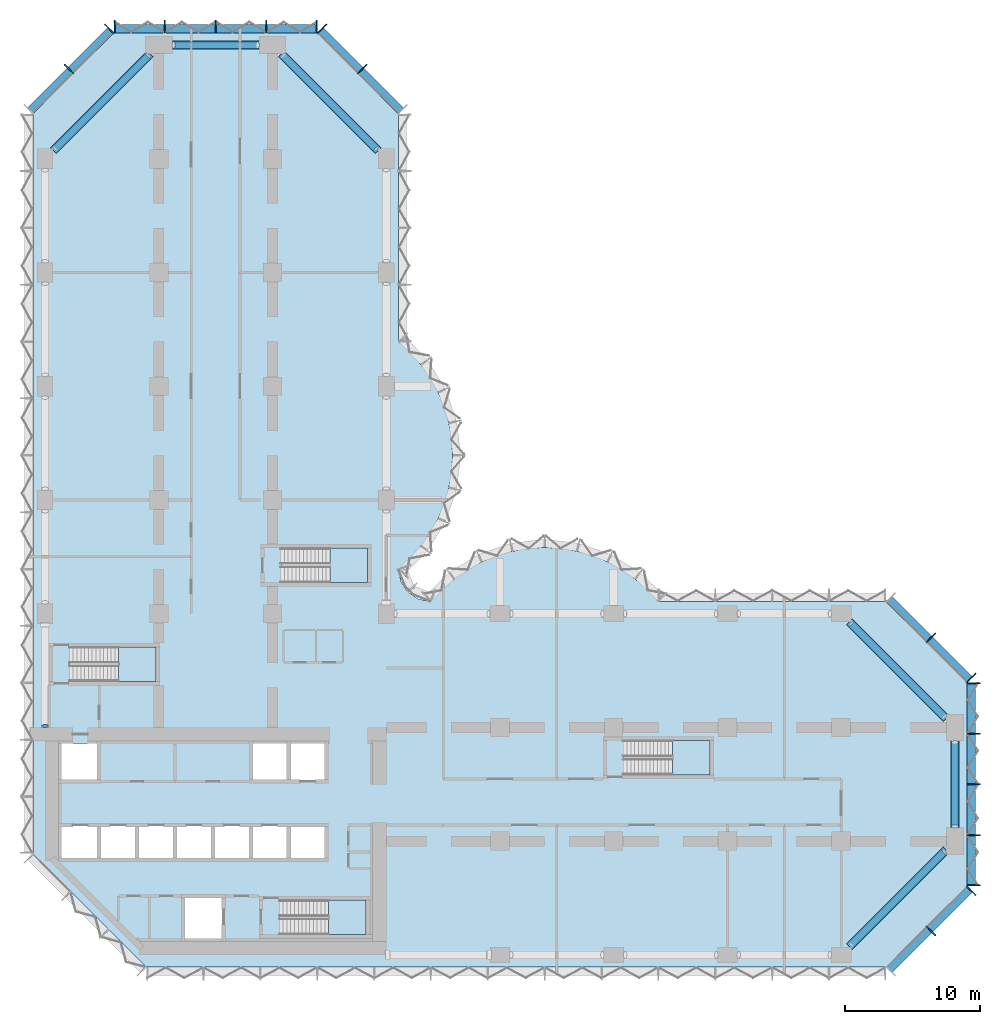
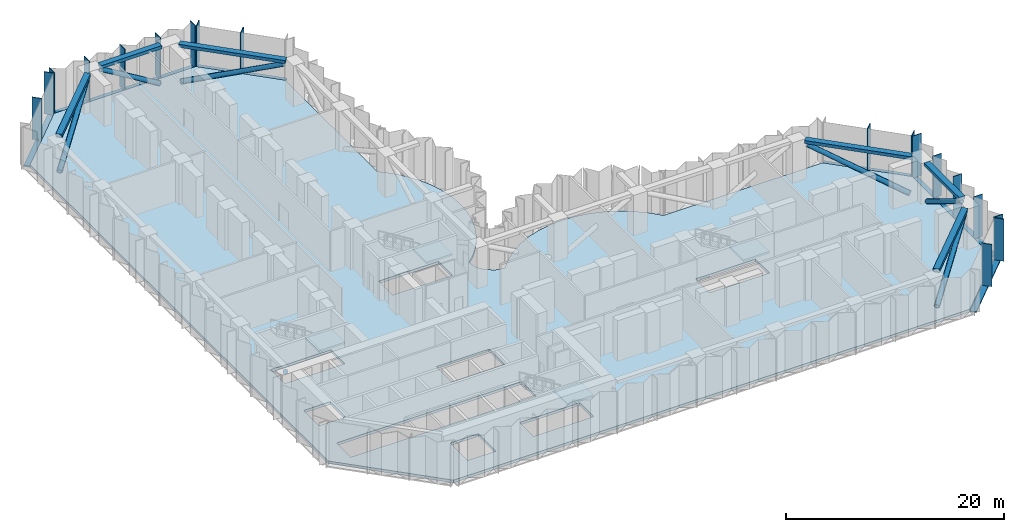
# One storey, part 3 of 18: 30 members, 6 beams, 5 slabs, 1 plate, 10 elements without a shape of their own.
"""IFC4 building model written with IfcOpenShell, lengths in metres."""

import ifcopenshell
import ifcopenshell.guid

model = None  # the IFC model being written
_history = None  # IfcOwnerHistory: only IFC2X3 demands one
_inside = {}  # id of a spatial element -> (the spatial element, [elements in it])
_under = {}  # id of a project, library or spatial element -> (it, [spatial elements below it])
_declared = {}  # id of a project -> (the project, [libraries it declares])
_typed = {}  # id of a type object -> (the type object, [elements of that type])
_made_of = {}  # id of a material, layer set ... -> (it, [elements and type objects made of it])


def new_model(schema):
    """Start an empty IFC model of exactly this schema.

    Asked for "IFC4X3", IfcOpenShell would pick the latest addendum, in which some entities
    have other attributes; the version numbers below select the first issue.
    IFC2X3 requires an IfcOwnerHistory on every rooted entity: one is made here for all.
    """
    global model, _history
    if schema == "IFC4X3":
        model = ifcopenshell.file(schema_version=(4, 3, 0, 0))
    else:
        model = ifcopenshell.file(schema=schema)
    _inside.clear()
    _under.clear()
    _declared.clear()
    _typed.clear()
    _made_of.clear()
    _history = None
    if model.schema == "IFC2X3":
        org = make("IfcOrganization", Name="unknown")
        user = make(
            "IfcPersonAndOrganization",
            ThePerson=make("IfcPerson", FamilyName="unknown"),
            TheOrganization=org,
        )
        app = make(
            "IfcApplication",
            ApplicationDeveloper=org,
            Version="unknown",
            ApplicationFullName="unknown",
            ApplicationIdentifier="unknown",
        )
        _history = make(
            "IfcOwnerHistory",
            OwningUser=user,
            OwningApplication=app,
            ChangeAction="ADDED",
            CreationDate=0,
        )
    return model


def make(cls, **values):
    """One entity of the class cls with the attributes given. An attribute that is None is left unset."""
    return model.create_entity(
        cls, **{name: value for name, value in values.items() if value is not None}
    )


def rooted(cls, **values):
    """An entity with a GlobalId (a new one), such as an element, a storey or a relation."""
    return make(cls, GlobalId=ifcopenshell.guid.new(), OwnerHistory=_history, **values)


def si_unit(unit_type, name, prefix=None):
    """IfcSIUnit, for example si_unit("LENGTHUNIT", "METRE", prefix="MILLI")."""
    return make("IfcSIUnit", UnitType=unit_type, Prefix=prefix, Name=name)


def assignment(units):
    """IfcUnitAssignment: the units of a project."""
    return None if units is None else make("IfcUnitAssignment", Units=units)


def point(xyz):
    """IfcCartesianPoint."""
    return None if xyz is None else make("IfcCartesianPoint", Coordinates=xyz)


def direction(xyz):
    """IfcDirection."""
    return None if xyz is None else make("IfcDirection", DirectionRatios=xyz)


def frame(location, z_axis=None, x_axis=None):
    """IfcAxis2Placement3D, a coordinate frame: its origin and axes. An axis left out is left unset."""
    return make(
        "IfcAxis2Placement3D",
        Location=point(location),
        Axis=direction(z_axis),
        RefDirection=direction(x_axis),
    )


def frame_2d(location, x_axis=None):
    """IfcAxis2Placement2D, a coordinate frame in the plane: its origin and x axis."""
    return make(
        "IfcAxis2Placement2D", Location=point(location), RefDirection=direction(x_axis)
    )


def origin():
    """The frame at (0, 0, 0) with its axes left unset."""
    return frame((0.0, 0.0, 0.0))


def origin_2d():
    """The frame at (0, 0) in the plane with its x axis left unset."""
    return frame_2d((0.0, 0.0))


def place(relative_to, where):
    """IfcLocalPlacement: puts the frame where relative to a parent placement (None: the world)."""
    return make(
        "IfcLocalPlacement", PlacementRelTo=relative_to, RelativePlacement=where
    )


def context(
    kind, dimensions, precision=None, world=None, true_north=None, identifier=None
):
    """IfcGeometricRepresentationContext, for example the 3D "Model" context."""
    return make(
        "IfcGeometricRepresentationContext",
        ContextIdentifier=identifier,
        ContextType=kind,
        CoordinateSpaceDimension=dimensions,
        Precision=precision,
        WorldCoordinateSystem=world,
        TrueNorth=true_north,
    )


def subcontext(parent, identifier, kind, view, scale=None):
    """IfcGeometricRepresentationSubContext, for example "Body" below "Model"."""
    return make(
        "IfcGeometricRepresentationSubContext",
        ContextIdentifier=identifier,
        ContextType=kind,
        ParentContext=parent,
        TargetScale=scale,
        TargetView=view,
    )


def project(units=None, contexts=None):
    """IfcProject with its units and contexts."""
    return rooted(
        "IfcProject",
        Name="project",
        RepresentationContexts=contexts,
        UnitsInContext=assignment(units),
    )


def spatial(cls, under=None, at=None, **own):
    """A site, building, storey or space (cls), placed at a placement, below another one or the project."""
    s = rooted(cls, ObjectPlacement=at, **own)
    if under is not None:
        _under.setdefault(under.id(), (under, []))[1].append(s)
    return s


def polyline(points):
    """IfcPolyline through the points."""
    return make("IfcPolyline", Points=[point(p) for p in points])


def profile(cls, at=None, kind="AREA", **sizes):
    """A parametric profile (cls). Its sizes go by their IFC names, for example OverallWidth=200.0."""
    return make(cls, ProfileType=kind, Position=at, **sizes)


def rectangle(**sizes):
    """IfcRectangleProfileDef."""
    return profile("IfcRectangleProfileDef", **sizes)


def circle(**sizes):
    """IfcCircleProfileDef."""
    return profile("IfcCircleProfileDef", **sizes)


def hollow_circle(**sizes):
    """IfcCircleHollowProfileDef."""
    return profile("IfcCircleHollowProfileDef", **sizes)


def outline(outer, holes=None, kind="AREA"):
    """IfcArbitraryClosedProfileDef: a profile drawn as a closed curve; with holes, ...WithVoids."""
    if holes is None:
        return make("IfcArbitraryClosedProfileDef", ProfileType=kind, OuterCurve=outer)
    return make(
        "IfcArbitraryProfileDefWithVoids",
        ProfileType=kind,
        OuterCurve=outer,
        InnerCurves=holes,
    )


def extrude(swept, where, along, depth):
    """IfcExtrudedAreaSolid: the profile swept, set in the frame where, extruded along a direction by depth."""
    return make(
        "IfcExtrudedAreaSolid",
        SweptArea=swept,
        Position=where,
        ExtrudedDirection=direction(along),
        Depth=depth,
    )


def shape(context_of_items, identifier, shape_type, items):
    """IfcShapeRepresentation: the items that make up one representation, for example the "Body"."""
    return make(
        "IfcShapeRepresentation",
        ContextOfItems=context_of_items,
        RepresentationIdentifier=identifier,
        RepresentationType=shape_type,
        Items=items,
    )


def material(Name=None, Category=None):
    """IfcMaterial."""
    return make("IfcMaterial", Name=Name, Category=Category)


def layer(
    of_material, thickness, ventilated=None, Name=None, Category=None, Priority=None
):
    """IfcMaterialLayer: one layer of a wall or slab, of a material (None: an air gap)."""
    return make(
        "IfcMaterialLayer",
        Material=of_material,
        LayerThickness=thickness,
        IsVentilated=ventilated,
        Name=Name,
        Category=Category,
        Priority=Priority,
    )


def layer_set(layers, Name=None):
    """IfcMaterialLayerSet."""
    return make("IfcMaterialLayerSet", MaterialLayers=layers, LayerSetName=Name)


def material_profile(
    of_material, cross_section, Name=None, Category=None, Priority=None
):
    """IfcMaterialProfile: a cross section and its material."""
    return make(
        "IfcMaterialProfile",
        Name=Name,
        Material=of_material,
        Profile=cross_section,
        Priority=Priority,
        Category=Category,
    )


def profile_set(profiles, Name=None, composite=None):
    """IfcMaterialProfileSet."""
    return make(
        "IfcMaterialProfileSet",
        Name=Name,
        MaterialProfiles=profiles,
        CompositeProfile=composite,
    )


def made_of(thing, what):
    """Note that an element or type object is made of a material, layer set ...; save() writes the relation."""
    if what is not None:
        _made_of.setdefault(what.id(), (what, []))[1].append(thing)
    return thing


def type_object(cls, material=None, **own):
    """A type object (cls), such as IfcWallType, which elements share."""
    return made_of(rooted(cls, **own), material)


def element(
    cls,
    number,
    at=None,
    inside=None,
    cuts=None,
    type_object=None,
    material=None,
    context=None,
    identifier="Body",
    shape_type=None,
    held_by="IfcProductDefinitionShape",
    body=None,
    shapes=None,
    **own,
):
    """One element of the class cls, such as IfcWall. Its Tag is "e" and its number.

    at: its placement. inside: the storey or other place that contains it. cuts: it is an
    opening in that element (IfcRelVoidsElement). A single representation is given by context,
    identifier, shape_type and body (its items); several are given by shapes. held_by: the class
    of the entity that holds the representations. save() writes the other relations.
    """
    e = rooted(cls, Tag="e%d" % number, ObjectPlacement=at, **own)
    if body is not None:
        shapes = [shape(context, identifier, shape_type, body)]
    if shapes is not None:
        e.Representation = make(held_by, Representations=shapes)
    if inside is not None:
        _inside.setdefault(inside.id(), (inside, []))[1].append(e)
    if cuts is not None:
        rooted(
            "IfcRelVoidsElement", RelatingBuildingElement=cuts, RelatedOpeningElement=e
        )
    if type_object is not None:
        _typed.setdefault(type_object.id(), (type_object, []))[1].append(e)
    return made_of(e, material)


def aggregate(whole, parts):
    """IfcRelAggregates: a whole, such as a stair, and the parts it consists of."""
    return rooted("IfcRelAggregates", RelatingObject=whole, RelatedObjects=parts)


def save(model, path):
    """Write the relations noted so far, then the file.

    IfcRelAggregates (storeys below a building ...), IfcRelContainedInSpatialStructure (elements
    in a storey), IfcRelDefinesByType, IfcRelAssociatesMaterial and IfcRelDeclares: one each for
    every whole, place, type object, material and project.
    """
    for whole, parts in _under.values():
        aggregate(whole, parts)
    for where, things in _inside.values():
        rooted(
            "IfcRelContainedInSpatialStructure",
            RelatedElements=things,
            RelatingStructure=where,
        )
    for kind, things in _typed.values():
        rooted("IfcRelDefinesByType", RelatedObjects=things, RelatingType=kind)
    for what, things in _made_of.values():
        rooted("IfcRelAssociatesMaterial", RelatedObjects=things, RelatingMaterial=what)
    for by, libraries in _declared.values():
        rooted("IfcRelDeclares", RelatingContext=by, RelatedDefinitions=libraries)
    model.write(path)


model = new_model("IFC4")

# Units and contexts
model_context = context("Model", 3, precision=1e-05, world=origin(), true_north=direction((0.0, 1.0)))
body_context = subcontext(model_context, "Body", "Model", "MODEL_VIEW")
ifc_project = project(units=[si_unit("LENGTHUNIT", "METRE"), si_unit("AREAUNIT", "SQUARE_METRE"), si_unit("VOLUMEUNIT", "CUBIC_METRE"), si_unit("PLANEANGLEUNIT", "RADIAN"), si_unit("MASSUNIT", "GRAM", prefix="KILO")], contexts=[model_context])

# Site, building, storey
site_placement = place(None, origin())
site = spatial("IfcSite", under=ifc_project, at=site_placement, CompositionType="ELEMENT")
building_placement = place(site_placement, origin())
building = spatial("IfcBuilding", under=site, at=building_placement, Name="Brevane Broadcast Tower", CompositionType="ELEMENT")
storey_placement = place(building_placement, frame((0.0, 0.0, 86.89990234375)))
storey = spatial("IfcBuildingStorey", under=building, at=storey_placement, Name="L20", CompositionType="ELEMENT", Elevation=86.89990234375)

# Curtain wall, members
ifc_material_1 = material(Name="Aluminium 6063-T6 bronze anodised", Category="aluminium")
curtain_wall_type = type_object("IfcCurtainWallType", Name="CW-3 curtain wall", PredefinedType="NOTDEFINED", material=ifc_material_1)
curtain_wall_1_placement = place(storey_placement, origin())
curtain_wall_1 = element("IfcCurtainWall", 1, at=curtain_wall_1_placement, inside=storey, type_object=curtain_wall_type, Name="CW-3 refuge louvre unit L20 south-east chamfer", PredefinedType="NOTDEFINED")
ifc_material_profile_1 = material_profile(ifc_material_1, rectangle(XDim=0.949951171875, YDim=0.080078125, at=origin_2d()), Name="RECT 80x950")
ifc_profile_set_1 = profile_set([ifc_material_profile_1], Name="Aluminium 6063-T6 bronze anodised")
member_type_1 = type_object("IfcMemberType", Name="CW-3 mullion 80x950", PredefinedType="MULLION", material=ifc_profile_set_1)
member_1_placement = place(storey_placement, frame((65.435791015625, 1.76416015625, -0.159912109375), z_axis=(0.0, 0.0, 1.0), x_axis=(-0.707106781187, 0.707106781187, 0.0)))
member_1 = element("IfcMember", 2, at=member_1_placement, type_object=member_type_1, Name="CW-3 mullion", PredefinedType="MULLION", context=body_context, shape_type="SweptSolid", body=[
    extrude(rectangle(XDim=0.949951171875, YDim=0.080078125, at=origin_2d()), origin(), (0.0, 0.0, 1.0), 4.7099609375),
])
member_2_placement = place(storey_placement, frame((68.407470703125, 4.73583984375, -0.159912109375), z_axis=(0.0, 0.0, 1.0), x_axis=(-0.707106781187, 0.707106781187, 0.0)))
member_2 = element("IfcMember", 3, at=member_2_placement, type_object=member_type_1, Name="CW-3 mullion", PredefinedType="MULLION", context=body_context, shape_type="SweptSolid", body=[
    extrude(rectangle(XDim=0.949951171875, YDim=0.080078125, at=origin_2d()), origin(), (0.0, 0.0, 1.0), 4.7099609375),
])

curtain_wall_2_placement = place(storey_placement, origin())
curtain_wall_2 = element("IfcCurtainWall", 4, at=curtain_wall_2_placement, inside=storey, type_object=curtain_wall_type, Name="CW-3 refuge louvre unit L20 east end", PredefinedType="NOTDEFINED")
member_3_placement = place(storey_placement, frame((68.574951171875, 5.139892578125, -0.159912109375), z_axis=(0.0, 0.0, 1.0), x_axis=(-1.0, 0.0, 0.0)))
member_3 = element("IfcMember", 5, at=member_3_placement, type_object=member_type_1, Name="CW-3 mullion", PredefinedType="MULLION", context=body_context, shape_type="SweptSolid", body=[
    extrude(rectangle(XDim=0.949951171875, YDim=0.080078125, at=origin_2d()), origin(), (0.0, 0.0, 1.0), 4.7099609375),
])
member_4_placement = place(storey_placement, frame((68.574951171875, 8.85009765625, -0.159912109375), z_axis=(0.0, 0.0, 1.0), x_axis=(-1.0, 0.0, 0.0)))
member_4 = element("IfcMember", 6, at=member_4_placement, type_object=member_type_1, Name="CW-3 mullion", PredefinedType="MULLION", context=body_context, shape_type="SweptSolid", body=[
    extrude(rectangle(XDim=0.949951171875, YDim=0.080078125, at=origin_2d()), origin(), (0.0, 0.0, 1.0), 4.7099609375),
])
member_5_placement = place(storey_placement, frame((68.574951171875, 12.60009765625, -0.159912109375), z_axis=(0.0, 0.0, 1.0), x_axis=(-1.0, 0.0, 0.0)))
member_5 = element("IfcMember", 7, at=member_5_placement, type_object=member_type_1, Name="CW-3 mullion", PredefinedType="MULLION", context=body_context, shape_type="SweptSolid", body=[
    extrude(rectangle(XDim=0.949951171875, YDim=0.080078125, at=origin_2d()), origin(), (0.0, 0.0, 1.0), 4.7099609375),
])
member_6_placement = place(storey_placement, frame((68.574951171875, 16.35009765625, -0.159912109375), z_axis=(0.0, 0.0, 1.0), x_axis=(-1.0, 0.0, 0.0)))
member_6 = element("IfcMember", 8, at=member_6_placement, type_object=member_type_1, Name="CW-3 mullion", PredefinedType="MULLION", context=body_context, shape_type="SweptSolid", body=[
    extrude(rectangle(XDim=0.949951171875, YDim=0.080078125, at=origin_2d()), origin(), (0.0, 0.0, 1.0), 4.7099609375),
])
member_7_placement = place(storey_placement, frame((68.574951171875, 20.06005859375, -0.159912109375), z_axis=(0.0, 0.0, 1.0), x_axis=(-1.0, 0.0, 0.0)))
member_7 = element("IfcMember", 9, at=member_7_placement, type_object=member_type_1, Name="CW-3 mullion", PredefinedType="MULLION", context=body_context, shape_type="SweptSolid", body=[
    extrude(rectangle(XDim=0.949951171875, YDim=0.080078125, at=origin_2d()), origin(), (0.0, 0.0, 1.0), 4.7099609375),
])

curtain_wall_3_placement = place(storey_placement, origin())
curtain_wall_3 = element("IfcCurtainWall", 10, at=curtain_wall_3_placement, inside=storey, type_object=curtain_wall_type, Name="CW-3 refuge louvre unit L20 north-east chamfer", PredefinedType="NOTDEFINED")
member_8_placement = place(storey_placement, frame((68.407470703125, 20.464111328125, -0.159912109375), z_axis=(0.0, 0.0, 1.0), x_axis=(-0.707106781187, -0.707106781187, 0.0)))
member_8 = element("IfcMember", 11, at=member_8_placement, type_object=member_type_1, Name="CW-3 mullion", PredefinedType="MULLION", context=body_context, shape_type="SweptSolid", body=[
    extrude(rectangle(XDim=0.949951171875, YDim=0.080078125, at=origin_2d()), origin(), (0.0, 0.0, 1.0), 4.7099609375),
])
member_9_placement = place(storey_placement, frame((65.435791015625, 23.435791015625, -0.159912109375), z_axis=(0.0, 0.0, 1.0), x_axis=(-0.707106781187, -0.707106781187, 0.0)))
member_9 = element("IfcMember", 12, at=member_9_placement, type_object=member_type_1, Name="CW-3 mullion", PredefinedType="MULLION", context=body_context, shape_type="SweptSolid", body=[
    extrude(rectangle(XDim=0.949951171875, YDim=0.080078125, at=origin_2d()), origin(), (0.0, 0.0, 1.0), 4.7099609375),
])

curtain_wall_4_placement = place(storey_placement, origin())
curtain_wall_4 = element("IfcCurtainWall", 13, at=curtain_wall_4_placement, inside=storey, type_object=curtain_wall_type, Name="CW-3 refuge louvre unit L20 north arm north-east chamfer", PredefinedType="NOTDEFINED")
member_10_placement = place(storey_placement, frame((23.435791015625, 65.435791015625, -0.159912109375), z_axis=(0.0, 0.0, 1.0), x_axis=(-0.707106781187, -0.707106781187, 0.0)))
member_10 = element("IfcMember", 14, at=member_10_placement, type_object=member_type_1, Name="CW-3 mullion", PredefinedType="MULLION", context=body_context, shape_type="SweptSolid", body=[
    extrude(rectangle(XDim=0.949951171875, YDim=0.080078125, at=origin_2d()), origin(), (0.0, 0.0, 1.0), 4.7099609375),
])
member_11_placement = place(storey_placement, frame((20.464111328125, 68.407470703125, -0.159912109375), z_axis=(0.0, 0.0, 1.0), x_axis=(-0.707106781187, -0.707106781187, 0.0)))
member_11 = element("IfcMember", 15, at=member_11_placement, type_object=member_type_1, Name="CW-3 mullion", PredefinedType="MULLION", context=body_context, shape_type="SweptSolid", body=[
    extrude(rectangle(XDim=0.949951171875, YDim=0.080078125, at=origin_2d()), origin(), (0.0, 0.0, 1.0), 4.7099609375),
])

curtain_wall_5_placement = place(storey_placement, origin())
curtain_wall_5 = element("IfcCurtainWall", 16, at=curtain_wall_5_placement, inside=storey, type_object=curtain_wall_type, Name="CW-3 refuge louvre unit L20 north end", PredefinedType="NOTDEFINED")
member_12_placement = place(storey_placement, frame((20.06005859375, 68.574951171875, -0.159912109375), z_axis=(0.0, 0.0, 1.0), x_axis=(0.0, -1.0, 0.0)))
member_12 = element("IfcMember", 17, at=member_12_placement, type_object=member_type_1, Name="CW-3 mullion", PredefinedType="MULLION", context=body_context, shape_type="SweptSolid", body=[
    extrude(rectangle(XDim=0.949951171875, YDim=0.080078125, at=origin_2d()), origin(), (0.0, 0.0, 1.0), 4.7099609375),
])
member_13_placement = place(storey_placement, frame((16.35009765625, 68.574951171875, -0.159912109375), z_axis=(0.0, 0.0, 1.0), x_axis=(0.0, -1.0, 0.0)))
member_13 = element("IfcMember", 18, at=member_13_placement, type_object=member_type_1, Name="CW-3 mullion", PredefinedType="MULLION", context=body_context, shape_type="SweptSolid", body=[
    extrude(rectangle(XDim=0.949951171875, YDim=0.080078125, at=origin_2d()), origin(), (0.0, 0.0, 1.0), 4.7099609375),
])
member_14_placement = place(storey_placement, frame((12.60009765625, 68.574951171875, -0.159912109375), z_axis=(0.0, 0.0, 1.0), x_axis=(0.0, -1.0, 0.0)))
member_14 = element("IfcMember", 19, at=member_14_placement, type_object=member_type_1, Name="CW-3 mullion", PredefinedType="MULLION", context=body_context, shape_type="SweptSolid", body=[
    extrude(rectangle(XDim=0.949951171875, YDim=0.080078125, at=origin_2d()), origin(), (0.0, 0.0, 1.0), 4.7099609375),
])
member_15_placement = place(storey_placement, frame((8.85009765625, 68.574951171875, -0.159912109375), z_axis=(0.0, 0.0, 1.0), x_axis=(0.0, -1.0, 0.0)))
member_15 = element("IfcMember", 20, at=member_15_placement, type_object=member_type_1, Name="CW-3 mullion", PredefinedType="MULLION", context=body_context, shape_type="SweptSolid", body=[
    extrude(rectangle(XDim=0.949951171875, YDim=0.080078125, at=origin_2d()), origin(), (0.0, 0.0, 1.0), 4.7099609375),
])
member_16_placement = place(storey_placement, frame((5.139892578125, 68.574951171875, -0.159912109375), z_axis=(0.0, 0.0, 1.0), x_axis=(0.0, -1.0, 0.0)))
member_16 = element("IfcMember", 21, at=member_16_placement, type_object=member_type_1, Name="CW-3 mullion", PredefinedType="MULLION", context=body_context, shape_type="SweptSolid", body=[
    extrude(rectangle(XDim=0.949951171875, YDim=0.080078125, at=origin_2d()), origin(), (0.0, 0.0, 1.0), 4.7099609375),
])

curtain_wall_6_placement = place(storey_placement, origin())
curtain_wall_6 = element("IfcCurtainWall", 22, at=curtain_wall_6_placement, inside=storey, type_object=curtain_wall_type, Name="CW-3 refuge louvre unit L20 north-west chamfer", PredefinedType="NOTDEFINED")
member_17_placement = place(storey_placement, frame((4.73583984375, 68.407470703125, -0.159912109375), z_axis=(0.0, 0.0, 1.0), x_axis=(0.707106781187, -0.707106781187, 0.0)))
member_17 = element("IfcMember", 23, at=member_17_placement, type_object=member_type_1, Name="CW-3 mullion", PredefinedType="MULLION", context=body_context, shape_type="SweptSolid", body=[
    extrude(rectangle(XDim=0.949951171875, YDim=0.080078125, at=origin_2d()), origin(), (0.0, 0.0, 1.0), 4.7099609375),
])
member_18_placement = place(storey_placement, frame((1.76416015625, 65.435791015625, -0.159912109375), z_axis=(0.0, 0.0, 1.0), x_axis=(0.707106781187, -0.707106781187, 0.0)))
member_18 = element("IfcMember", 24, at=member_18_placement, type_object=member_type_1, Name="CW-3 mullion", PredefinedType="MULLION", context=body_context, shape_type="SweptSolid", body=[
    extrude(rectangle(XDim=0.949951171875, YDim=0.080078125, at=origin_2d()), origin(), (0.0, 0.0, 1.0), 4.7099609375),
])

# Member
ifc_material_profile_2 = material_profile(ifc_material_1, rectangle(XDim=0.60009765625, YDim=0.139892578125, at=origin_2d()), Name="RECT 140x600")
ifc_profile_set_2 = profile_set([ifc_material_profile_2], Name="Aluminium 6063-T6 bronze anodised")
member_type_2 = type_object("IfcMemberType", Name="CW-3 transom 140x600", PredefinedType="USERDEFINED", material=ifc_profile_set_2)
member_19_placement = place(storey_placement, frame((62.31201171875, -1.112060546875, -0.22998046875), z_axis=(0.707106781187, 0.707106781187, 0.0), x_axis=(-0.707106781187, 0.707106781187, 0.0)))
member_19 = element("IfcMember", 25, at=member_19_placement, type_object=member_type_2, Name="CW-3 transom", ObjectType="TRANSOM", PredefinedType="USERDEFINED", context=body_context, shape_type="SweptSolid", body=[
    extrude(rectangle(XDim=0.60009765625, YDim=0.139892578125, at=origin_2d()), origin(), (0.0, 0.0, 1.0), 8.4853515625),
])

aggregate(curtain_wall_1, [member_1, member_2, member_19])

member_20_placement = place(storey_placement, frame((68.39990234375, 5.10009765625, -0.22998046875), z_axis=(0.0, 1.0, 0.0), x_axis=(-1.0, 0.0, 0.0)))
member_20 = element("IfcMember", 26, at=member_20_placement, type_object=member_type_2, Name="CW-3 transom", ObjectType="TRANSOM", PredefinedType="USERDEFINED", context=body_context, shape_type="SweptSolid", body=[
    extrude(rectangle(XDim=0.60009765625, YDim=0.139892578125, at=origin_2d()), origin(), (0.0, 0.0, 1.0), 15.0),
])

aggregate(curtain_wall_2, [member_3, member_4, member_5, member_6, member_7, member_20])

member_21_placement = place(storey_placement, frame((68.31201171875, 20.31201171875, -0.22998046875), z_axis=(-0.707106781187, 0.707106781187, 0.0), x_axis=(-0.707106781187, -0.707106781187, 0.0)))
member_21 = element("IfcMember", 27, at=member_21_placement, type_object=member_type_2, Name="CW-3 transom", ObjectType="TRANSOM", PredefinedType="USERDEFINED", context=body_context, shape_type="SweptSolid", body=[
    extrude(rectangle(XDim=0.60009765625, YDim=0.139892578125, at=origin_2d()), origin(), (0.0, 0.0, 1.0), 8.4853515625),
])

aggregate(curtain_wall_3, [member_8, member_9, member_21])

member_22_placement = place(storey_placement, frame((26.31201171875, 62.31201171875, -0.22998046875), z_axis=(-0.707106781187, 0.707106781187, 0.0), x_axis=(-0.707106781187, -0.707106781187, 0.0)))
member_22 = element("IfcMember", 28, at=member_22_placement, type_object=member_type_2, Name="CW-3 transom", ObjectType="TRANSOM", PredefinedType="USERDEFINED", context=body_context, shape_type="SweptSolid", body=[
    extrude(rectangle(XDim=0.60009765625, YDim=0.139892578125, at=origin_2d()), origin(), (0.0, 0.0, 1.0), 8.4853515625),
])

aggregate(curtain_wall_4, [member_10, member_11, member_22])

member_23_placement = place(storey_placement, frame((20.10009765625, 68.39990234375, -0.22998046875), z_axis=(-1.0, 0.0, 0.0), x_axis=(0.0, -1.0, 0.0)))
member_23 = element("IfcMember", 29, at=member_23_placement, type_object=member_type_2, Name="CW-3 transom", ObjectType="TRANSOM", PredefinedType="USERDEFINED", context=body_context, shape_type="SweptSolid", body=[
    extrude(rectangle(XDim=0.60009765625, YDim=0.139892578125, at=origin_2d()), origin(), (0.0, 0.0, 1.0), 15.0),
])

aggregate(curtain_wall_5, [member_12, member_13, member_14, member_15, member_16, member_23])

member_24_placement = place(storey_placement, frame((4.887939453125, 68.31201171875, -0.22998046875), z_axis=(-0.707106781187, -0.707106781187, 0.0), x_axis=(0.707106781187, -0.707106781187, 0.0)))
member_24 = element("IfcMember", 30, at=member_24_placement, type_object=member_type_2, Name="CW-3 transom", ObjectType="TRANSOM", PredefinedType="USERDEFINED", context=body_context, shape_type="SweptSolid", body=[
    extrude(rectangle(XDim=0.60009765625, YDim=0.139892578125, at=origin_2d()), origin(), (0.0, 0.0, 1.0), 8.4853515625),
])

aggregate(curtain_wall_6, [member_17, member_18, member_24])

# Beams
ifc_material_2 = material(Name="Concrete C40/50", Category="concrete")
ifc_material_profile_3 = material_profile(ifc_material_2, rectangle(XDim=0.60009765625, YDim=0.35009765625, at=origin_2d()), Name="RC 600x350")
ifc_profile_set_3 = profile_set([ifc_material_profile_3], Name="Concrete C40/50")
beam_type = type_object("IfcBeamType", Name="RC SPANDREL BEAM 600x350 C40/50", PredefinedType="SPANDREL", material=ifc_profile_set_3)
beam_1_placement = place(storey_placement, frame((59.39990234375, 0.60009765625, 4.375), z_axis=(0.707118853314, 0.707094708853, 0.0), x_axis=(-0.707094708853, 0.707118853314, 0.0)))
element("IfcBeam", 31, at=beam_1_placement, inside=storey, type_object=beam_type, Name="EB1 L20-5", PredefinedType="SPANDREL", context=body_context, shape_type="SweptSolid", body=[
    extrude(rectangle(XDim=0.60009765625, YDim=0.35009765625, at=origin_2d()), origin(), (0.0, 0.0, 1.0), 10.111572265625),
])
beam_2_placement = place(storey_placement, frame((67.199951171875, 9.39990234375, 4.375), z_axis=(0.0, 1.0, 0.0), x_axis=(-1.0, 0.0, 0.0)))
element("IfcBeam", 32, at=beam_2_placement, inside=storey, type_object=beam_type, Name="EB1 L20-6", PredefinedType="SPANDREL", context=body_context, shape_type="SweptSolid", body=[
    extrude(rectangle(XDim=0.60009765625, YDim=0.35009765625, at=origin_2d()), origin(), (0.0, 0.0, 1.0), 6.400146484375),
])
for number, where, z_axis, x_axis, name in (
    (33, (66.550048828125, 17.449951171875, 4.375), (-0.707106781187, 0.707106781187, 0.0), (-0.707106781187, -0.707106781187, 0.0), "EB1 L20-7"),
    (34, (24.60009765625, 59.39990234375, 4.375), (-0.707106781187, 0.707106781187, 0.0), (-0.707106781187, -0.707106781187, 0.0), "EB1 L20-16"),
):
    element("IfcBeam", number, at=place(storey_placement, frame(where, z_axis=z_axis, x_axis=x_axis)), inside=storey, type_object=beam_type, Name=name, PredefinedType="SPANDREL", context=body_context, shape_type="SweptSolid", body=[
        extrude(rectangle(XDim=0.60009765625, YDim=0.35009765625, at=origin_2d()), origin(), (0.0, 0.0, 1.0), 10.11181640625),
    ])
beam_3_placement = place(storey_placement, frame((15.800048828125, 67.199951171875, 4.375), z_axis=(-1.0, 0.0, 0.0), x_axis=(0.0, -1.0, 0.0)))
element("IfcBeam", 35, at=beam_3_placement, inside=storey, type_object=beam_type, Name="EB1 L20-17", PredefinedType="SPANDREL", context=body_context, shape_type="SweptSolid", body=[
    extrude(rectangle(XDim=0.60009765625, YDim=0.35009765625, at=origin_2d()), origin(), (0.0, 0.0, 1.0), 6.400146484375),
])
beam_4_placement = place(storey_placement, frame((7.75, 66.550048828125, 4.375), z_axis=(-0.707094708853, -0.707118853314, 0.0), x_axis=(0.707118853314, -0.707094708853, 0.0)))
element("IfcBeam", 36, at=beam_4_placement, inside=storey, type_object=beam_type, Name="EB1 L20-18", PredefinedType="SPANDREL", context=body_context, shape_type="SweptSolid", body=[
    extrude(rectangle(XDim=0.60009765625, YDim=0.35009765625, at=origin_2d()), origin(), (0.0, 0.0, 1.0), 10.111572265625),
])

# Members
ifc_material_3 = material(Name="Steel S355", Category="steel")
ifc_material_profile_4 = material_profile(ifc_material_3, hollow_circle(Radius=0.25390625, WallThickness=0.01611328125, at=origin_2d()), Name="CHS 508x16")
ifc_profile_set_4 = profile_set([ifc_material_profile_4], Name="Steel S355")
member_type_3 = type_object("IfcMemberType", Name="STEEL BELT TRUSS BRACE CHS 508x16 S355", PredefinedType="BRACE", material=ifc_profile_set_4)
member_25_placement = place(storey_placement, frame((59.540283203125, 0.740478515625, 0.2373046875), z_axis=(0.660232362081, 0.660208897164, 0.358074629326), x_axis=(-0.707094215426, 0.707119346724, 0.0)))
element("IfcMember", 37, at=member_25_placement, inside=storey, type_object=member_type_3, Name="BT1 L20-5", PredefinedType="BRACE", context=body_context, shape_type="SweptSolid", body=[
    extrude(hollow_circle(Radius=0.25390625, WallThickness=0.01611328125, at=origin_2d()), origin(), (0.0, 0.0, 1.0), 10.404541015625),
])
member_26_placement = place(storey_placement, frame((67.199951171875, 15.697998046875, 0.217041015625), z_axis=(0.0, -0.854528681211, 0.519404209636), x_axis=(1.0, 0.0, 0.0)))
element("IfcMember", 38, at=member_26_placement, inside=storey, type_object=member_type_3, Name="BT1 L20-6", PredefinedType="BRACE", context=body_context, shape_type="SweptSolid", body=[
    extrude(hollow_circle(Radius=0.25390625, WallThickness=0.01611328125, at=origin_2d()), origin(), (0.0, 0.0, 1.0), 7.250732421875),
])
for number, where, z_axis, x_axis, name in (
    (39, (66.40966796875, 17.59033203125, 0.2373046875), (-0.660222133984, 0.660222133984, 0.358069082155), (-0.707106781187, -0.707106781187, 0.0), "BT1 L20-7"),
    (40, (17.59033203125, 66.40966796875, 0.2373046875), (0.660222133984, -0.660222133984, 0.358069082155), (0.707106781187, 0.707106781187, 0.0), "BT1 L20-16"),
):
    element("IfcMember", number, at=place(storey_placement, frame(where, z_axis=z_axis, x_axis=x_axis)), inside=storey, type_object=member_type_3, Name=name, PredefinedType="BRACE", context=body_context, shape_type="SweptSolid", body=[
        extrude(hollow_circle(Radius=0.25390625, WallThickness=0.01611328125, at=origin_2d()), origin(), (0.0, 0.0, 1.0), 10.404541015625),
    ])
member_27_placement = place(storey_placement, frame((15.697998046875, 67.199951171875, 0.217041015625), z_axis=(-0.854528681211, 0.0, 0.519404209636), x_axis=(0.0, -1.0, 0.0)))
element("IfcMember", 41, at=member_27_placement, inside=storey, type_object=member_type_3, Name="BT1 L20-17", PredefinedType="BRACE", context=body_context, shape_type="SweptSolid", body=[
    extrude(hollow_circle(Radius=0.25390625, WallThickness=0.01611328125, at=origin_2d()), origin(), (0.0, 0.0, 1.0), 7.250732421875),
])
member_28_placement = place(storey_placement, frame((0.740478515625, 59.540283203125, 0.2373046875), z_axis=(0.660208897164, 0.660232362081, 0.358074629326), x_axis=(-0.707119346724, 0.707094215426, 0.0)))
element("IfcMember", 42, at=member_28_placement, inside=storey, type_object=member_type_3, Name="BT1 L20-18", PredefinedType="BRACE", context=body_context, shape_type="SweptSolid", body=[
    extrude(hollow_circle(Radius=0.25390625, WallThickness=0.01611328125, at=origin_2d()), origin(), (0.0, 0.0, 1.0), 10.404541015625),
])

# Stair, slab
ifc_material_4 = material(Name="Concrete C50/60", Category="concrete")
stair_type = type_object("IfcStairType", Name="Exit stair 28 risers", PredefinedType="HALF_TURN_STAIR", material=ifc_material_4)
stair_1_placement = place(storey_placement, origin())
stair_1 = element("IfcStair", 43, at=stair_1_placement, inside=storey, type_object=stair_type, Name="L20 Exit stair ST-1", PredefinedType="HALF_TURN_STAIR")
ifc_layer_1 = layer(ifc_material_4, 0.199951171875)
ifc_layer_set_1 = layer_set([ifc_layer_1], Name="Exit stair landing")
slab_type_1 = type_object("IfcSlabType", Name="Exit stair landing", PredefinedType="LANDING", material=ifc_layer_set_1)
slab_1_placement = place(storey_placement, frame((0.0, 0.0, 2.2001953125)))
slab_1 = element("IfcSlab", 44, at=slab_1_placement, type_object=slab_type_1, Name="ST-1 landing 1", PredefinedType="LANDING", context=body_context, shape_type="SweptSolid", body=[
    extrude(outline(polyline([(5.43994140625, 20.199951171875), (8.199951171875, 20.199951171875), (8.199951171875, 22.75), (5.43994140625, 22.75), (5.43994140625, 20.199951171875)])), origin(), (0.0, 0.0, 1.0), 0.199951171875),
])
aggregate(stair_1, [slab_1])

stair_2_placement = place(storey_placement, origin())
stair_2 = element("IfcStair", 45, at=stair_2_placement, inside=storey, type_object=stair_type, Name="L20 Exit stair ST-2", PredefinedType="HALF_TURN_STAIR")
slab_2_placement = place(storey_placement, frame((0.0, 0.0, 2.2001953125)))
slab_2 = element("IfcSlab", 46, at=slab_2_placement, type_object=slab_type_1, Name="ST-2 landing 1", PredefinedType="LANDING", context=body_context, shape_type="SweptSolid", body=[
    extrude(outline(polyline([(20.93994140625, 1.5), (23.699951171875, 1.5), (23.699951171875, 4.050048828125), (20.93994140625, 4.050048828125), (20.93994140625, 1.5)])), origin(), (0.0, 0.0, 1.0), 0.199951171875),
])
aggregate(stair_2, [slab_2])

stair_3_placement = place(storey_placement, origin())
stair_3 = element("IfcStair", 47, at=stair_3_placement, inside=storey, type_object=stair_type, Name="L20 Exit stair ST-3", PredefinedType="HALF_TURN_STAIR")
slab_3_placement = place(storey_placement, frame((0.0, 0.0, 2.2001953125)))
slab_3 = element("IfcSlab", 48, at=slab_3_placement, type_object=slab_type_1, Name="ST-3 landing 1", PredefinedType="LANDING", context=body_context, shape_type="SweptSolid", body=[
    extrude(outline(polyline([(21.0400390625, 27.5), (23.800048828125, 27.5), (23.800048828125, 30.050048828125), (21.0400390625, 30.050048828125), (21.0400390625, 27.5)])), origin(), (0.0, 0.0, 1.0), 0.199951171875),
])
aggregate(stair_3, [slab_3])

stair_4_placement = place(storey_placement, origin())
stair_4 = element("IfcStair", 49, at=stair_4_placement, inside=storey, type_object=stair_type, Name="L20 Exit stair ST-4", PredefinedType="HALF_TURN_STAIR")
slab_4_placement = place(storey_placement, frame((0.0, 0.0, 2.2001953125)))
slab_4 = element("IfcSlab", 50, at=slab_4_placement, type_object=slab_type_1, Name="ST-4 landing 1", PredefinedType="LANDING", context=body_context, shape_type="SweptSolid", body=[
    extrude(outline(polyline([(46.340087890625, 13.300048828125), (49.10009765625, 13.300048828125), (49.10009765625, 15.85009765625), (46.340087890625, 15.85009765625), (46.340087890625, 13.300048828125)])), origin(), (0.0, 0.0, 1.0), 0.199951171875),
])
aggregate(stair_4, [slab_4])

# Slab
ifc_layer_2 = layer(ifc_material_2, 0.300048828125)
ifc_layer_set_2 = layer_set([ifc_layer_2], Name="RC FLOOR SLAB 300 C40/50")
slab_type_2 = type_object("IfcSlabType", Name="RC FLOOR SLAB 300 C40/50", PredefinedType="FLOOR", material=ifc_layer_set_2)
slab_5_placement = place(storey_placement, frame((0.0, 0.0, -0.2998046875)))
element("IfcSlab", 51, at=slab_5_placement, inside=storey, type_object=slab_type_2, Name="SL300 L20", PredefinedType="FLOOR", context=body_context, shape_type="SweptSolid", body=[
    extrude(outline(polyline([(-0.89990234375, 7.5), (-0.89990234375, 62.10009765625), (5.10009765625, 68.10009765625), (20.10009765625, 68.10009765625), (26.10009765625, 62.10009765625), (26.10009765625, 45.300048828125), (27.10888671875, 44.36865234375), (27.99169921875, 43.317138671875), (28.734130859375, 42.162353515625), (29.324462890625, 40.922607421875), (29.7529296875, 39.618408203125), (30.012939453125, 38.270263671875), (30.10009765625, 36.89990234375), (30.012939453125, 35.52978515625), (29.7529296875, 34.181640625), (29.324462890625, 32.877197265625), (28.734130859375, 31.6376953125), (27.99169921875, 30.48291015625), (27.10888671875, 29.431396484375), (26.10009765625, 28.5), (26.28271484375, 27.58154296875), (26.802978515625, 26.802978515625), (27.58154296875, 26.28271484375), (28.5, 26.10009765625), (29.431396484375, 27.10888671875), (30.48291015625, 27.99169921875), (31.6376953125, 28.734130859375), (32.877197265625, 29.324462890625), (34.181640625, 29.7529296875), (35.52978515625, 30.012939453125), (36.89990234375, 30.10009765625), (38.270263671875, 30.012939453125), (39.618408203125, 29.7529296875), (40.922607421875, 29.324462890625), (42.162353515625, 28.734130859375), (43.317138671875, 27.99169921875), (44.36865234375, 27.10888671875), (45.300048828125, 26.10009765625), (62.10009765625, 26.10009765625), (68.10009765625, 20.10009765625), (68.10009765625, 5.10009765625), (62.10009765625, -0.89990234375), (7.5, -0.89990234375), (-0.89990234375, 7.5)]), holes=[polyline([(13.199951171875, 4.39990234375), (10.199951171875, 4.39990234375), (10.199951171875, 1.199951171875), (13.199951171875, 1.199951171875), (13.199951171875, 4.39990234375)]), polyline([(4.0, 9.60009765625), (1.199951171875, 9.60009765625), (1.199951171875, 7.0), (4.0, 7.0), (6.800048828125, 7.0), (9.60009765625, 7.0), (12.39990234375, 7.0), (15.199951171875, 7.0), (18.0, 7.0), (20.800048828125, 7.0), (20.800048828125, 9.60009765625), (18.0, 9.60009765625), (15.199951171875, 9.60009765625), (12.39990234375, 9.60009765625), (9.60009765625, 9.60009765625), (6.800048828125, 9.60009765625), (4.0, 9.60009765625)]), polyline([(4.0, 12.800048828125), (4.0, 15.60009765625), (1.199951171875, 15.60009765625), (1.199951171875, 12.800048828125), (4.0, 12.800048828125)]), polyline([(8.199951171875, 22.75), (1.860107421875, 22.75), (1.860107421875, 20.199951171875), (8.199951171875, 20.199951171875), (8.199951171875, 22.75)]), polyline([(23.699951171875, 4.050048828125), (17.360107421875, 4.050048828125), (17.360107421875, 1.5), (23.699951171875, 1.5), (23.699951171875, 4.050048828125)]), polyline([(18.0, 15.60009765625), (15.199951171875, 15.60009765625), (15.199951171875, 12.800048828125), (18.0, 12.800048828125), (20.800048828125, 12.800048828125), (20.800048828125, 15.60009765625), (18.0, 15.60009765625)]), polyline([(49.10009765625, 15.85009765625), (42.760009765625, 15.85009765625), (42.760009765625, 13.300048828125), (49.10009765625, 13.300048828125), (49.10009765625, 15.85009765625)]), polyline([(23.800048828125, 30.050048828125), (17.4599609375, 30.050048828125), (17.4599609375, 27.5), (23.800048828125, 27.5), (23.800048828125, 30.050048828125)])]), origin(), (0.0, 0.0, 1.0), 0.2998046875),
])

# Plate
ifc_material_profile_5 = material_profile(ifc_material_3, circle(Radius=0.25390625, at=origin_2d()), Name="PL 508 DIA x 15")
ifc_profile_set_5 = profile_set([ifc_material_profile_5], Name="Steel S355")
plate_type = type_object("IfcPlateType", Name="STEEL END CAP PLATE 508 DIA x 15", PredefinedType="SHEET", material=ifc_profile_set_5)
plate_placement = place(storey_placement, frame((0.0, 16.9140625, 3.97314453125), z_axis=(0.0, -0.891163115601, 0.45368304067), x_axis=(1.0, 0.0, 0.0)))
element("IfcPlate", 52, at=plate_placement, inside=storey, type_object=plate_type, Name="End cap plate EC1-42", PredefinedType="SHEET", context=body_context, shape_type="SweptSolid", body=[
    extrude(circle(Radius=0.25390625, at=origin_2d()), origin(), (0.0, 0.0, 1.0), 0.01513671875),
])

save(model, "model.ifc")
